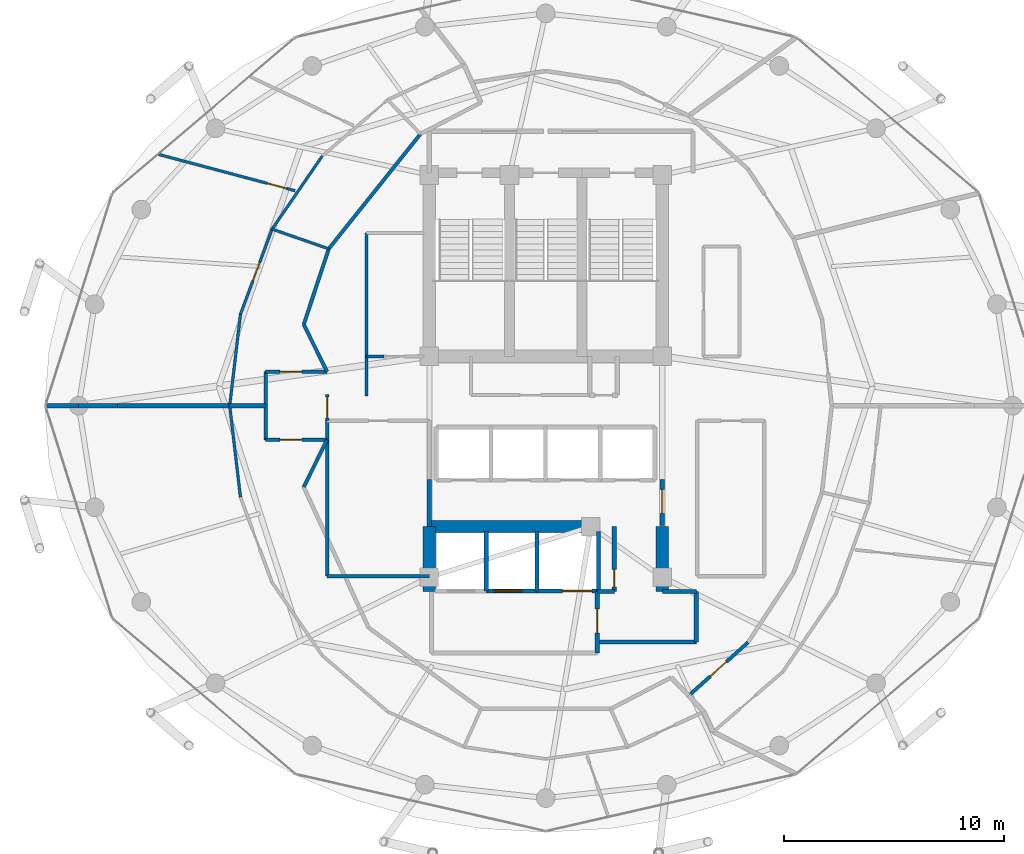
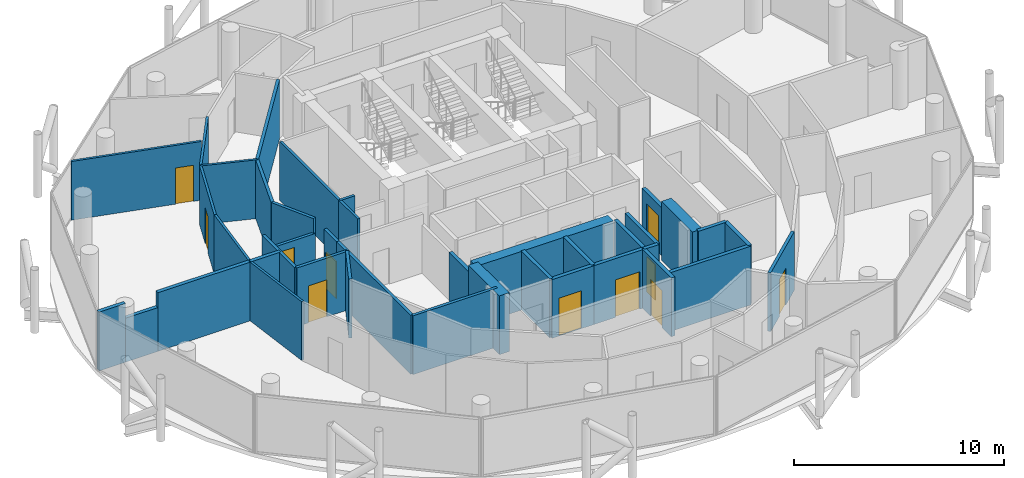
# One storey, part 23 of 27: 40 walls, 11 doors, 11 openings.
"""IFC4 building model written with IfcOpenShell, lengths in metres."""

from ifc_helpers import new_model, si_unit, direction, frame, frame_2d, origin, place, context, subcontext, project, spatial, rectangle, extrude, material, layer, layer_set, type_object, element, fill, save


model = new_model("IFC4")

# Units and contexts
model_context = context("Model", 3, precision=1e-05, world=origin(), true_north=direction((0.0, 1.0)))
body_context = subcontext(model_context, "Body", "Model", "MODEL_VIEW")
ifc_project = project(units=[si_unit("LENGTHUNIT", "METRE"), si_unit("AREAUNIT", "SQUARE_METRE"), si_unit("VOLUMEUNIT", "CUBIC_METRE"), si_unit("PLANEANGLEUNIT", "RADIAN"), si_unit("MASSUNIT", "GRAM", prefix="KILO")], contexts=[model_context])

# Site, building, storey
site_placement = place(None, origin())
site = spatial("IfcSite", under=ifc_project, at=site_placement, CompositionType="ELEMENT")
building_placement = place(site_placement, origin())
building = spatial("IfcBuilding", under=site, at=building_placement, Name="Nuhasar Tower", CompositionType="ELEMENT")
storey_placement = place(building_placement, frame((0.0, 0.0, 226.39990234375)))
storey = spatial("IfcBuildingStorey", under=building, at=storey_placement, Name="L55", CompositionType="ELEMENT", Elevation=226.39990234375)

# Walls
ifc_material_1 = material(Name="Concrete C55/67", Category="concrete")
ifc_layer_1 = layer(ifc_material_1, 0.550048828125)
ifc_layer_set_1 = layer_set([ifc_layer_1], Name="Concrete C55/67")
wall_type_1 = type_object("IfcWallType", Name="WL-CORE-550", PredefinedType="SHEAR", material=ifc_layer_set_1)
for number, where, z_axis, x_axis, name in (
    (1, (33.699951171875, 18.35009765625, 0.0), (0.0, 0.0, 1.0), (0.0, 1.0, 0.0), "L55 Core Shear Wall CW-SW CW-550"),
    (2, (44.300048828125, 18.35009765625, 0.0), (0.0, 0.0, 1.0), (0.0, 1.0, 0.0), "L55 Core Shear Wall CW-SE CW-550"),
):
    element("IfcWall", number, at=place(storey_placement, frame(where, z_axis=z_axis, x_axis=x_axis)), inside=storey, type_object=wall_type_1, Name=name, PredefinedType="SHEAR", context=body_context, shape_type="SweptSolid", body=[
        extrude(rectangle(XDim=2.949951171875, YDim=0.550048828125, at=frame_2d((1.47509765625, 0.0))), origin(), (0.0, 0.0, 1.0), 3.41015625),
    ])
wall_1_placement = place(storey_placement, frame((33.699951171875, 21.300048828125, 0.0), z_axis=(0.0, 0.0, 1.0), x_axis=(1.0, 0.0, 0.0)))
element("IfcWall", 3, at=wall_1_placement, inside=storey, type_object=wall_type_1, Name="L55 Core Shear Wall CW-S1 CW-550", PredefinedType="SHEAR", context=body_context, shape_type="SweptSolid", body=[
    extrude(rectangle(XDim=7.550048828125, YDim=0.550048828125, at=frame_2d((3.77490234375, 0.0))), origin(), (0.0, 0.0, 1.0), 3.41015625),
])
ifc_material_2 = material(Name="Gypsum Board", Category="gypsum")
ifc_layer_2 = layer(ifc_material_2, 0.159912109375)
ifc_layer_set_2 = layer_set([ifc_layer_2], Name="Gypsum Board")
wall_type_2 = type_object("IfcWallType", Name="WL-CORR-160", PredefinedType="PARTITIONING", material=ifc_layer_set_2)
wall_2_placement = place(storey_placement, frame((29.050048828125, 19.050048828125, 0.0), z_axis=(0.0, 0.0, 1.0), x_axis=(1.0, 0.0, 0.0)))
element("IfcWall", 4, at=wall_2_placement, inside=storey, type_object=wall_type_2, Name="L55 Interior Partition RECL-B1-S", PredefinedType="PARTITIONING", context=body_context, shape_type="SweptSolid", body=[
    extrude(rectangle(XDim=4.64990234375, YDim=0.159912109375, at=frame_2d((2.324951171875, 0.0))), origin(), (0.0, 0.0, 1.0), 3.41015625),
])
wall_3_placement = place(storey_placement, frame((29.050048828125, 19.050048828125, 0.0), z_axis=(0.0, 0.0, 1.0), x_axis=(0.0, 1.0, 0.0)))
element("IfcWall", 5, at=wall_3_placement, inside=storey, type_object=wall_type_2, Name="L55 Interior Partition RECL-B1-W", PredefinedType="PARTITIONING", context=body_context, shape_type="SweptSolid", body=[
    extrude(rectangle(XDim=7.070068359375, YDim=0.159912109375, at=frame_2d((3.53515625, 0.0))), origin(), (0.0, 0.0, 1.0), 3.41015625),
])

# Wall, opening, door
wall_4_placement = place(storey_placement, frame((29.050048828125, 26.1201171875, 0.0), z_axis=(0.0, 0.0, 1.0), x_axis=(0.0, 1.0, 0.0)))
wall_4 = element("IfcWall", 6, at=wall_4_placement, inside=storey, type_object=wall_type_2, Name="L55 Interior Partition WVEST-E", PredefinedType="PARTITIONING", context=body_context, shape_type="SweptSolid", body=[
    extrude(rectangle(XDim=1.199951171875, YDim=0.159912109375, at=frame_2d((0.60009765625, 0.0))), origin(), (0.0, 0.0, 1.0), 3.41015625),
])
opening_1_placement = place(wall_4_placement, frame((0.125, 0.0, 0.0)))
opening_1 = element("IfcOpeningElement", 7, at=opening_1_placement, cuts=wall_4, Name="Opening DO-01", PredefinedType="OPENING", context=body_context, shape_type="SweptSolid", body=[
    extrude(rectangle(XDim=0.949951171875, YDim=2.14990234375, at=frame_2d((0.47509765625, 1.074951171875))), frame((0.0, 0.08984375, 0.0), z_axis=(0.0, -1.0, 0.0), x_axis=(1.0, 0.0, 0.0)), (0.0, 0.0, 1.0), 0.179931640625),
])
ifc_material_3 = material(Name="Timber Oak", Category="wood")
door_type_1 = type_object("IfcDoorType", Name="DR-OFFICE-FD30-950", OperationType="NOTDEFINED", PredefinedType="DOOR", material=ifc_material_3)
door_1_placement = place(opening_1_placement, origin())
door_1 = element("IfcDoor", 8, at=door_1_placement, inside=storey, type_object=door_type_1, Name="L55 West Arrival Foyer Core Door", OperationType="SINGLE_SWING_RIGHT", OverallHeight=2.14990234375, OverallWidth=0.949951171875, PredefinedType="DOOR", context=body_context, shape_type="SweptSolid", body=[
    extrude(rectangle(XDim=0.949951171875, YDim=2.14990234375, at=frame_2d((0.47509765625, 1.074951171875))), frame((0.0, 0.02490234375, 0.0), z_axis=(0.0, -1.0, 0.0), x_axis=(1.0, 0.0, 0.0)), (0.0, 0.0, 1.0), 0.050048828125),
])
fill(opening_1, door_1)

wall_5_placement = place(storey_placement, frame((48.198974609375, 16.031005859375, 0.0), z_axis=(0.0, 0.0, 1.0), x_axis=(-0.743813424218, -0.66838730535, 0.0)))
wall_5 = element("IfcWall", 9, at=wall_5_placement, inside=storey, type_object=wall_type_2, Name="L55 Interior Partition CORR-40", PredefinedType="PARTITIONING", context=body_context, shape_type="SweptSolid", body=[
    extrude(rectangle(XDim=3.6220703125, YDim=0.159912109375, at=frame_2d((1.81103515625, 0.0))), origin(), (0.0, 0.0, 1.0), 3.41015625),
])
opening_2_placement = place(wall_5_placement, frame((1.31103515625, 0.0, 0.0)))
opening_2 = element("IfcOpeningElement", 10, at=opening_2_placement, cuts=wall_5, Name="Opening DU-02", PredefinedType="OPENING", context=body_context, shape_type="SweptSolid", body=[
    extrude(rectangle(XDim=1.0, YDim=2.14990234375, at=frame_2d((0.5, 1.074951171875))), frame((0.0, 0.08984375, 0.0), z_axis=(0.0, -1.0, 0.0), x_axis=(1.0, 0.0, 0.0)), (0.0, 0.0, 1.0), 0.179931640625),
])
door_type_2 = type_object("IfcDoorType", Name="DR-FLAT-FD60-1000", OperationType="NOTDEFINED", PredefinedType="DOOR", material=ifc_material_3)
door_2_placement = place(opening_2_placement, origin())
door_2 = element("IfcDoor", 11, at=door_2_placement, inside=storey, type_object=door_type_2, Name="L55 Three-Bed Apartment 01 Entrance Door", OperationType="SINGLE_SWING_RIGHT", OverallHeight=2.14990234375, OverallWidth=1.0, PredefinedType="DOOR", context=body_context, shape_type="SweptSolid", body=[
    extrude(rectangle(XDim=1.0, YDim=2.14990234375, at=frame_2d((0.5, 1.074951171875))), frame((0.0, 0.02490234375, 0.0), z_axis=(0.0, -1.0, 0.0), x_axis=(1.0, 0.0, 0.0)), (0.0, 0.0, 1.0), 0.050048828125),
])
fill(opening_2, door_2)

# Walls
wall_6_placement = place(storey_placement, frame((33.300048828125, 39.1669921875, 0.0), z_axis=(0.0, 0.0, 1.0), x_axis=(-0.623915746766, -0.781491612839, 0.0)))
element("IfcWall", 12, at=wall_6_placement, inside=storey, type_object=wall_type_2, Name="L55 Interior Partition UWEST-CORE-N2-16", PredefinedType="PARTITIONING", context=body_context, shape_type="SweptSolid", body=[
    extrude(rectangle(XDim=6.6884765625, YDim=0.159912109375, at=frame_2d((3.34423828125, 0.0))), origin(), (0.0, 0.0, 1.0), 3.41015625),
])
wall_7_placement = place(storey_placement, frame((29.126953125, 33.93994140625, 0.0), z_axis=(0.0, 0.0, 1.0), x_axis=(-0.313985571683, -0.949427754374, 0.0)))
element("IfcWall", 13, at=wall_7_placement, inside=storey, type_object=wall_type_2, Name="L55 Interior Partition UWEST-CORE-N2-20", PredefinedType="PARTITIONING", context=body_context, shape_type="SweptSolid", body=[
    extrude(rectangle(XDim=3.627197265625, YDim=0.159912109375, at=frame_2d((1.8134765625, 0.0))), origin(), (0.0, 0.0, 1.0), 3.41015625),
])

# Wall, opening, door
wall_8_placement = place(storey_placement, frame((26.25, 28.35009765625, 0.0), z_axis=(0.0, 0.0, 1.0), x_axis=(1.0, 0.0, 0.0)))
wall_8 = element("IfcWall", 14, at=wall_8_placement, inside=storey, type_object=wall_type_2, Name="L55 Interior Partition WVEST-N", PredefinedType="PARTITIONING", context=body_context, shape_type="SweptSolid", body=[
    extrude(rectangle(XDim=2.800048828125, YDim=0.159912109375, at=frame_2d((1.39990234375, 0.0))), origin(), (0.0, 0.0, 1.0), 2.550048828125),
])
opening_3_placement = place(wall_8_placement, frame((0.64990234375, 0.0, 0.0)))
opening_3 = element("IfcOpeningElement", 15, at=opening_3_placement, cuts=wall_8, Name="Opening DU-02", PredefinedType="OPENING", context=body_context, shape_type="SweptSolid", body=[
    extrude(rectangle(XDim=1.0, YDim=2.14990234375, at=frame_2d((0.5, 1.074951171875))), frame((0.0, 0.08984375, 0.0), z_axis=(0.0, -1.0, 0.0), x_axis=(1.0, 0.0, 0.0)), (0.0, 0.0, 1.0), 0.179931640625),
])
door_3_placement = place(opening_3_placement, origin())
door_3 = element("IfcDoor", 16, at=door_3_placement, inside=storey, type_object=door_type_2, Name="L55 North-West Sky Home Entrance", OperationType="SINGLE_SWING_LEFT", OverallHeight=2.14990234375, OverallWidth=1.0, PredefinedType="DOOR", context=body_context, shape_type="SweptSolid", body=[
    extrude(rectangle(XDim=1.0, YDim=2.14990234375, at=frame_2d((0.5, 1.074951171875))), frame((0.0, 0.02490234375, 0.0), z_axis=(0.0, -1.0, 0.0), x_axis=(1.0, 0.0, 0.0)), (0.0, 0.0, 1.0), 0.050048828125),
])
fill(opening_3, door_3)

wall_9_placement = place(storey_placement, frame((26.25, 25.25, 0.0), z_axis=(0.0, 0.0, 1.0), x_axis=(1.0, 0.0, 0.0)))
wall_9 = element("IfcWall", 17, at=wall_9_placement, inside=storey, type_object=wall_type_2, Name="L55 Interior Partition WVEST-S", PredefinedType="PARTITIONING", context=body_context, shape_type="SweptSolid", body=[
    extrude(rectangle(XDim=2.800048828125, YDim=0.159912109375, at=frame_2d((1.39990234375, 0.0))), origin(), (0.0, 0.0, 1.0), 3.41015625),
])
opening_4_placement = place(wall_9_placement, frame((0.64990234375, 0.0, 0.0)))
opening_4 = element("IfcOpeningElement", 18, at=opening_4_placement, cuts=wall_9, Name="Opening DU-02", PredefinedType="OPENING", context=body_context, shape_type="SweptSolid", body=[
    extrude(rectangle(XDim=1.0, YDim=2.14990234375, at=frame_2d((0.5, 1.074951171875))), frame((0.0, 0.08984375, 0.0), z_axis=(0.0, -1.0, 0.0), x_axis=(1.0, 0.0, 0.0)), (0.0, 0.0, 1.0), 0.179931640625),
])
door_4_placement = place(opening_4_placement, origin())
door_4 = element("IfcDoor", 19, at=door_4_placement, inside=storey, type_object=door_type_2, Name="L55 South-West Sky Home Entrance", OperationType="SINGLE_SWING_LEFT", OverallHeight=2.14990234375, OverallWidth=1.0, PredefinedType="DOOR", context=body_context, shape_type="SweptSolid", body=[
    extrude(rectangle(XDim=1.0, YDim=2.14990234375, at=frame_2d((0.5, 1.074951171875))), frame((0.0, 0.02490234375, 0.0), z_axis=(0.0, -1.0, 0.0), x_axis=(1.0, 0.0, 0.0)), (0.0, 0.0, 1.0), 0.050048828125),
])
fill(opening_4, door_4)

# Walls
wall_10_placement = place(storey_placement, frame((26.25, 25.25, 0.0), z_axis=(0.0, 0.0, 1.0), x_axis=(0.0, 1.0, 0.0)))
element("IfcWall", 20, at=wall_10_placement, inside=storey, type_object=wall_type_2, Name="L55 Interior Partition WVEST-W", PredefinedType="PARTITIONING", context=body_context, shape_type="SweptSolid", body=[
    extrude(rectangle(XDim=3.10009765625, YDim=0.159912109375, at=frame_2d((1.550048828125, 0.0))), origin(), (0.0, 0.0, 1.0), 3.41015625),
])
for number, where, z_axis, x_axis, name in (
    (21, (27.988037109375, 30.49609375, 0.0), (0.0, 0.0, 1.0), (0.443539160525, -0.896254993337, 0.0), "L55 Interior Partition WVEST-CN"),
    (22, (27.988037109375, 23.10400390625, 0.0), (0.0, 0.0, 1.0), (0.443539160525, 0.896254993337, 0.0), "L55 Interior Partition WVEST-CS"),
):
    element("IfcWall", number, at=place(storey_placement, frame(where, z_axis=z_axis, x_axis=x_axis)), inside=storey, type_object=wall_type_2, Name=name, PredefinedType="PARTITIONING", context=body_context, shape_type="SweptSolid", body=[
        extrude(rectangle(XDim=2.394287109375, YDim=0.159912109375, at=frame_2d((1.197265625, 0.0))), origin(), (0.0, 0.0, 1.0), 3.41015625),
    ])
ifc_material_4 = material(Name="Concrete C45/55", Category="concrete")
ifc_layer_3 = layer(ifc_material_4, 0.199951171875)
ifc_layer_set_3 = layer_set([ifc_layer_3], Name="Concrete C45/55")
wall_type_3 = type_object("IfcWallType", Name="WL-LOBBY-200", PredefinedType="SOLIDWALL", material=ifc_layer_set_3)
wall_11_placement = place(storey_placement, frame((33.699951171875, 21.300048828125, 0.0), z_axis=(0.0, 0.0, 1.0), x_axis=(0.0, 1.0, 0.0)))
element("IfcWall", 23, at=wall_11_placement, inside=storey, type_object=wall_type_3, Name="L55 Interior Partition LLBH-W", PredefinedType="SOLIDWALL", context=body_context, shape_type="SweptSolid", body=[
    extrude(rectangle(XDim=2.14990234375, YDim=0.199951171875, at=frame_2d((1.074951171875, 0.0))), origin(), (0.0, 0.0, 1.0), 2.795166015625),
])

# Wall, opening, door
wall_12_placement = place(storey_placement, frame((44.300048828125, 21.35009765625, 0.0), z_axis=(0.0, 0.0, 1.0), x_axis=(0.0, 1.0, 0.0)))
wall_12 = element("IfcWall", 24, at=wall_12_placement, inside=storey, type_object=wall_type_3, Name="L55 Interior Partition LLBH-E", PredefinedType="SOLIDWALL", context=body_context, shape_type="SweptSolid", body=[
    extrude(rectangle(XDim=2.099853515625, YDim=0.199951171875, at=frame_2d((1.0498046875, 0.0))), origin(), (0.0, 0.0, 1.0), 2.795166015625),
])
opening_5_placement = place(wall_12_placement, frame((0.550048828125, 0.0, 0.0)))
opening_5 = element("IfcOpeningElement", 25, at=opening_5_placement, cuts=wall_12, Name="Opening DS-02", PredefinedType="OPENING", context=body_context, shape_type="SweptSolid", body=[
    extrude(rectangle(XDim=1.10009765625, YDim=2.14990234375, at=frame_2d((0.550048828125, 1.074951171875))), frame((0.0, 0.10986328125, 0.0), z_axis=(0.0, -1.0, 0.0), x_axis=(1.0, 0.0, 0.0)), (0.0, 0.0, 1.0), 0.219970703125),
])
ifc_material_5 = material(Name="Steel S355", Category="steel")
door_type_3 = type_object("IfcDoorType", Name="DR-FFL-FD120-1100", OperationType="NOTDEFINED", PredefinedType="DOOR", material=ifc_material_5)
door_5_placement = place(opening_5_placement, origin())
door_5 = element("IfcDoor", 26, at=door_5_placement, inside=storey, type_object=door_type_3, Name="L55 High-Rise Lobby East Door", OperationType="SINGLE_SWING_RIGHT", OverallHeight=2.14990234375, OverallWidth=1.10009765625, PredefinedType="DOOR", context=body_context, shape_type="SweptSolid", body=[
    extrude(rectangle(XDim=1.10009765625, YDim=2.14990234375, at=frame_2d((0.550048828125, 1.074951171875))), frame((0.0, 0.02490234375, 0.0), z_axis=(0.0, -1.0, 0.0), x_axis=(1.0, 0.0, 0.0)), (0.0, 0.0, 1.0), 0.050048828125),
])
fill(opening_5, door_5)

wall_13_placement = place(storey_placement, frame((41.35009765625, 15.550048828125, 0.0), z_axis=(0.0, 0.0, 1.0), x_axis=(0.0, 1.0, 0.0)))
wall_13 = element("IfcWall", 27, at=wall_13_placement, inside=storey, type_object=wall_type_3, Name="L55 Interior Partition FFL-E", PredefinedType="SOLIDWALL", context=body_context, shape_type="SweptSolid", body=[
    extrude(rectangle(XDim=2.800048828125, YDim=0.199951171875, at=frame_2d((1.39990234375, 0.0))), origin(), (0.0, 0.0, 1.0), 3.41015625),
])
opening_6_placement = place(wall_13_placement, frame((0.89990234375, 0.0, 0.0)))
opening_6 = element("IfcOpeningElement", 28, at=opening_6_placement, cuts=wall_13, Name="Opening DS-02", PredefinedType="OPENING", context=body_context, shape_type="SweptSolid", body=[
    extrude(rectangle(XDim=1.10009765625, YDim=2.14990234375, at=frame_2d((0.550048828125, 1.074951171875))), frame((0.0, 0.10986328125, 0.0), z_axis=(0.0, -1.0, 0.0), x_axis=(1.0, 0.0, 0.0)), (0.0, 0.0, 1.0), 0.219970703125),
])
door_6_placement = place(opening_6_placement, origin())
door_6 = element("IfcDoor", 29, at=door_6_placement, inside=storey, type_object=door_type_3, Name="L55 Firefighting Lobby Door", OperationType="SINGLE_SWING_RIGHT", OverallHeight=2.14990234375, OverallWidth=1.10009765625, PredefinedType="DOOR", context=body_context, shape_type="SweptSolid", body=[
    extrude(rectangle(XDim=1.10009765625, YDim=2.14990234375, at=frame_2d((0.550048828125, 1.074951171875))), frame((0.0, 0.02490234375, 0.0), z_axis=(0.0, -1.0, 0.0), x_axis=(1.0, 0.0, 0.0)), (0.0, 0.0, 1.0), 0.050048828125),
])
fill(opening_6, door_6)

# Walls
wall_14_placement = place(storey_placement, frame((41.35009765625, 16.050048828125, 0.0), z_axis=(0.0, 0.0, 1.0), x_axis=(1.0, 0.0, 0.0)))
element("IfcWall", 30, at=wall_14_placement, inside=storey, type_object=wall_type_3, Name="L55 Interior Partition SVLV-S", PredefinedType="SOLIDWALL", context=body_context, shape_type="SweptSolid", body=[
    extrude(rectangle(XDim=4.5, YDim=0.199951171875, at=frame_2d((2.25, 0.0))), origin(), (0.0, 0.0, 1.0), 3.41015625),
])
wall_15_placement = place(storey_placement, frame((45.85009765625, 16.050048828125, 0.0), z_axis=(0.0, 0.0, 1.0), x_axis=(0.0, 1.0, 0.0)))
element("IfcWall", 31, at=wall_15_placement, inside=storey, type_object=wall_type_3, Name="L55 Interior Partition SVLV-E", PredefinedType="SOLIDWALL", context=body_context, shape_type="SweptSolid", body=[
    extrude(rectangle(XDim=2.300048828125, YDim=0.199951171875, at=frame_2d((1.14990234375, 0.0))), origin(), (0.0, 0.0, 1.0), 3.41015625),
])
wall_16_placement = place(storey_placement, frame((44.300048828125, 18.35009765625, 0.0), z_axis=(0.0, 0.0, 1.0), x_axis=(1.0, 0.0, 0.0)))
element("IfcWall", 32, at=wall_16_placement, inside=storey, type_object=wall_type_3, Name="L55 Interior Partition SVLV-N", PredefinedType="SOLIDWALL", context=body_context, shape_type="SweptSolid", body=[
    extrude(rectangle(XDim=1.550048828125, YDim=0.199951171875, at=frame_2d((0.77490234375, 0.0))), origin(), (0.0, 0.0, 1.0), 3.41015625),
])
ifc_layer_4 = layer(ifc_material_2, 0.125)
ifc_layer_set_4 = layer_set([ifc_layer_4], Name="Gypsum Board")
wall_type_4 = type_object("IfcWallType", Name="WL-PART-125", PredefinedType="PARTITIONING", material=ifc_layer_set_4)
wall_17_placement = place(storey_placement, frame((29.126953125, 33.93994140625, 0.0), z_axis=(0.0, 0.0, 1.0), x_axis=(-0.944759436998, 0.327764559102, 0.0)))
element("IfcWall", 33, at=wall_17_placement, inside=storey, type_object=wall_type_4, Name="L55 Interior Partition USI-1-KD", PredefinedType="PARTITIONING", context=body_context, shape_type="SweptSolid", body=[
    extrude(rectangle(XDim=2.730712890625, YDim=0.125, at=frame_2d((1.365234375, 0.0))), origin(), (0.0, 0.0, 1.0), 3.41015625),
])
wall_18_placement = place(storey_placement, frame((28.83203125, 38.1630859375, 0.0), z_axis=(0.0, 0.0, 1.0), x_axis=(-0.565994846929, -0.824408778004, 0.0)))
element("IfcWall", 34, at=wall_18_placement, inside=storey, type_object=wall_type_4, Name="L55 Interior Partition USM-1-K-18", PredefinedType="PARTITIONING", context=body_context, shape_type="SweptSolid", body=[
    extrude(rectangle(XDim=4.036865234375, YDim=0.125, at=frame_2d((2.0185546875, 0.0))), origin(), (0.0, 0.0, 1.0), 3.41015625),
])

# Wall, opening, door
wall_19_placement = place(storey_placement, frame((25.110107421875, 30.958984375, 0.0), z_axis=(0.0, 0.0, 1.0), x_axis=(0.347625950087, 0.937633296564, 0.0)))
wall_19 = element("IfcWall", 35, at=wall_19_placement, inside=storey, type_object=wall_type_4, Name="L55 Interior Partition USM-1-D-20", PredefinedType="PARTITIONING", context=body_context, shape_type="SweptSolid", body=[
    extrude(rectangle(XDim=4.1337890625, YDim=0.125, at=frame_2d((2.06689453125, 0.0))), origin(), (0.0, 0.0, 1.0), 3.41015625),
])
opening_7_placement = place(wall_19_placement, frame((1.616943359375, 0.0, 0.0)))
opening_7 = element("IfcOpeningElement", 36, at=opening_7_placement, cuts=wall_19, Name="Opening DR-01", PredefinedType="OPENING", context=body_context, shape_type="SweptSolid", body=[
    extrude(rectangle(XDim=0.89990234375, YDim=2.10009765625, at=frame_2d((0.449951171875, 1.050048828125))), frame((0.0, 0.072509765625, 0.0), z_axis=(0.0, -1.0, 0.0), x_axis=(1.0, 0.0, 0.0)), (0.0, 0.0, 1.0), 0.14501953125),
])
door_type_4 = type_object("IfcDoorType", Name="DR-ROOM-900", OperationType="NOTDEFINED", PredefinedType="DOOR", material=ifc_material_3)
door_7_placement = place(opening_7_placement, origin())
door_7 = element("IfcDoor", 37, at=door_7_placement, inside=storey, type_object=door_type_4, Name="L55 North-West Sky Home Living Door", OperationType="SINGLE_SWING_LEFT", OverallHeight=2.10009765625, OverallWidth=0.89990234375, PredefinedType="DOOR", context=body_context, shape_type="SweptSolid", body=[
    extrude(rectangle(XDim=0.89990234375, YDim=2.10009765625, at=frame_2d((0.449951171875, 1.050048828125))), frame((0.0, 0.02490234375, 0.0), z_axis=(0.0, -1.0, 0.0), x_axis=(1.0, 0.0, 0.0)), (0.0, 0.0, 1.0), 0.050048828125),
])
fill(opening_7, door_7)

# Wall
wall_20_placement = place(storey_placement, frame((25.110107421875, 30.958984375, 0.0), z_axis=(0.0, 0.0, 1.0), x_axis=(-0.117006991469, -0.993131091018, 0.0)))
element("IfcWall", 38, at=wall_20_placement, inside=storey, type_object=wall_type_4, Name="L55 Interior Partition USM-1-D-22", PredefinedType="PARTITIONING", context=body_context, shape_type="SweptSolid", body=[
    extrude(rectangle(XDim=4.187744140625, YDim=0.125, at=frame_2d((2.09375, 0.0))), origin(), (0.0, 0.0, 1.0), 3.41015625),
])

# Wall, opening, door
wall_21_placement = place(storey_placement, frame((27.592041015625, 36.5830078125, 0.0), z_axis=(0.0, 0.0, 1.0), x_axis=(-0.966372641244, 0.257145714053, 0.0)))
wall_21 = element("IfcWall", 39, at=wall_21_placement, inside=storey, type_object=wall_type_4, Name="L55 Interior Partition USO-1-B2", PredefinedType="PARTITIONING", context=body_context, shape_type="SweptSolid", body=[
    extrude(rectangle(XDim=6.40869140625, YDim=0.125, at=frame_2d((3.204345703125, 0.0))), origin(), (0.0, 0.0, 1.0), 3.41015625),
])
opening_8_placement = place(wall_21_placement, frame((0.39990234375, 0.0, 0.0)))
opening_8 = element("IfcOpeningElement", 40, at=opening_8_placement, cuts=wall_21, Name="Opening DR-01", PredefinedType="OPENING", context=body_context, shape_type="SweptSolid", body=[
    extrude(rectangle(XDim=0.89990234375, YDim=2.10009765625, at=frame_2d((0.449951171875, 1.050048828125))), frame((0.0, 0.072509765625, 0.0), z_axis=(0.0, -1.0, 0.0), x_axis=(1.0, 0.0, 0.0)), (0.0, 0.0, 1.0), 0.14501953125),
])
door_8_placement = place(opening_8_placement, origin())
door_8 = element("IfcDoor", 41, at=door_8_placement, inside=storey, type_object=door_type_4, Name="L55 North-West Sky Home Study Door", OperationType="SINGLE_SWING_LEFT", OverallHeight=2.10009765625, OverallWidth=0.89990234375, PredefinedType="DOOR", context=body_context, shape_type="SweptSolid", body=[
    extrude(rectangle(XDim=0.89990234375, YDim=2.10009765625, at=frame_2d((0.449951171875, 1.050048828125))), frame((0.0, 0.02490234375, 0.0), z_axis=(0.0, -1.0, 0.0), x_axis=(1.0, 0.0, 0.0)), (0.0, 0.0, 1.0), 0.050048828125),
])
fill(opening_8, door_8)

# Walls
wall_22_placement = place(storey_placement, frame((24.6201171875, 26.800048828125, 0.0), z_axis=(0.0, 0.0, 1.0), x_axis=(0.117006991469, -0.993131091018, 0.0)))
element("IfcWall", 42, at=wall_22_placement, inside=storey, type_object=wall_type_4, Name="L55 Interior Partition USM-2-D-24", PredefinedType="PARTITIONING", context=body_context, shape_type="SweptSolid", body=[
    extrude(rectangle(XDim=4.187744140625, YDim=0.125, at=frame_2d((2.09375, 0.0))), origin(), (0.0, 0.0, 1.0), 3.41015625),
])
ifc_layer_5 = layer(ifc_material_4, 0.199951171875)
ifc_layer_set_5 = layer_set([ifc_layer_5], Name="Concrete C45/55")
wall_type_5 = type_object("IfcWallType", Name="WL-SHAFT-200", PredefinedType="SOLIDWALL", material=ifc_layer_set_5)
wall_23_placement = place(storey_placement, frame((36.300048828125, 18.3701171875, 0.0), z_axis=(0.0, 0.0, 1.0), x_axis=(0.0, 1.0, 0.0)))
element("IfcWall", 43, at=wall_23_placement, inside=storey, type_object=wall_type_5, Name="L55 Interior Partition SHF-FFL-01-E", PredefinedType="SOLIDWALL", context=body_context, shape_type="SweptSolid", body=[
    extrude(rectangle(XDim=2.7099609375, YDim=0.199951171875, at=frame_2d((1.35498046875, 0.0))), origin(), (0.0, 0.0, 1.0), 3.41015625),
])

# Wall, opening, door
wall_24_placement = place(storey_placement, frame((36.27001953125, 18.3701171875, 0.0), z_axis=(0.0, 0.0, 1.0), x_axis=(1.0, 0.0, 0.0)))
wall_24 = element("IfcWall", 44, at=wall_24_placement, inside=storey, type_object=wall_type_5, Name="L55 Interior Partition SHF-FFL-02-S", PredefinedType="SOLIDWALL", context=body_context, shape_type="SweptSolid", body=[
    extrude(rectangle(XDim=2.35986328125, YDim=0.199951171875, at=frame_2d((1.179931640625, 0.0))), origin(), (0.0, 0.0, 1.0), 3.41015625),
])
opening_9_placement = place(wall_24_placement, frame((0.3798828125, 0.0, 0.0)))
opening_9 = element("IfcOpeningElement", 45, at=opening_9_placement, cuts=wall_24, Name="Opening LD-F02", PredefinedType="OPENING", context=body_context, shape_type="SweptSolid", body=[
    extrude(rectangle(XDim=1.25, YDim=2.199951171875, at=frame_2d((0.625, 1.10009765625))), frame((0.0, 0.10986328125, 0.0), z_axis=(0.0, -1.0, 0.0), x_axis=(1.0, 0.0, 0.0)), (0.0, 0.0, 1.0), 0.219970703125),
])
ifc_material_6 = material(Name="Stainless Steel 316L", Category="steel")
door_type_5 = type_object("IfcDoorType", Name="LD-FFL-1250", OperationType="DOUBLE_DOOR_SLIDING", PredefinedType="DOOR", material=ifc_material_6)
door_9_placement = place(opening_9_placement, origin())
door_9 = element("IfcDoor", 46, at=door_9_placement, inside=storey, type_object=door_type_5, Name="L55 Lift Landing Door FFL-02", OperationType="DOUBLE_DOOR_SLIDING", OverallHeight=2.199951171875, OverallWidth=1.25, PredefinedType="DOOR", context=body_context, shape_type="SweptSolid", body=[
    extrude(rectangle(XDim=1.25, YDim=2.199951171875, at=frame_2d((0.625, 1.10009765625))), frame((0.0, 0.02490234375, 0.0), z_axis=(0.0, -1.0, 0.0), x_axis=(1.0, 0.0, 0.0)), (0.0, 0.0, 1.0), 0.050048828125),
])
fill(opening_9, door_9)

# Wall
wall_25_placement = place(storey_placement, frame((38.60009765625, 18.3701171875, 0.0), z_axis=(0.0, 0.0, 1.0), x_axis=(0.0, 1.0, 0.0)))
element("IfcWall", 47, at=wall_25_placement, inside=storey, type_object=wall_type_5, Name="L55 Interior Partition SHF-FFL-02-E", PredefinedType="SOLIDWALL", context=body_context, shape_type="SweptSolid", body=[
    extrude(rectangle(XDim=2.7099609375, YDim=0.199951171875, at=frame_2d((1.35498046875, 0.0))), origin(), (0.0, 0.0, 1.0), 3.41015625),
])

# Wall, opening, door
wall_26_placement = place(storey_placement, frame((38.570068359375, 18.3701171875, 0.0), z_axis=(0.0, 0.0, 1.0), x_axis=(1.0, 0.0, 0.0)))
wall_26 = element("IfcWall", 48, at=wall_26_placement, inside=storey, type_object=wall_type_5, Name="L55 Interior Partition SHF-SVL-01-S", PredefinedType="SOLIDWALL", context=body_context, shape_type="SweptSolid", body=[
    extrude(rectangle(XDim=2.829833984375, YDim=0.199951171875, at=frame_2d((1.4150390625, 0.0))), origin(), (0.0, 0.0, 1.0), 3.41015625),
])
opening_10_placement = place(wall_26_placement, frame((1.179931640625, 0.0, 0.0)))
opening_10 = element("IfcOpeningElement", 49, at=opening_10_placement, cuts=wall_26, Name="Opening LD-S01", PredefinedType="OPENING", context=body_context, shape_type="SweptSolid", body=[
    extrude(rectangle(XDim=1.35009765625, YDim=2.179931640625, at=frame_2d((0.675048828125, 1.08984375))), frame((0.0, 0.10986328125, 0.0), z_axis=(0.0, -1.0, 0.0), x_axis=(1.0, 0.0, 0.0)), (0.0, 0.0, 1.0), 0.219970703125),
])
door_type_6 = type_object("IfcDoorType", Name="LD-SVL-1350", OperationType="DOUBLE_DOOR_SLIDING", PredefinedType="DOOR", material=ifc_material_6)
door_10_placement = place(opening_10_placement, origin())
door_10 = element("IfcDoor", 50, at=door_10_placement, inside=storey, type_object=door_type_6, Name="L55 Lift Landing Door SVL-01", OperationType="DOUBLE_DOOR_SLIDING", OverallHeight=2.179931640625, OverallWidth=1.35009765625, PredefinedType="DOOR", context=body_context, shape_type="SweptSolid", body=[
    extrude(rectangle(XDim=1.35009765625, YDim=2.179931640625, at=frame_2d((0.675048828125, 1.08984375))), frame((0.0, 0.02490234375, 0.0), z_axis=(0.0, -1.0, 0.0), x_axis=(1.0, 0.0, 0.0)), (0.0, 0.0, 1.0), 0.050048828125),
])
fill(opening_10, door_10)

# Wall
wall_27_placement = place(storey_placement, frame((41.39990234375, 18.3701171875, 0.0), z_axis=(0.0, 0.0, 1.0), x_axis=(0.0, 1.0, 0.0)))
element("IfcWall", 51, at=wall_27_placement, inside=storey, type_object=wall_type_5, Name="L55 Interior Partition SHF-SVL-01-E", PredefinedType="SOLIDWALL", context=body_context, shape_type="SweptSolid", body=[
    extrude(rectangle(XDim=2.7099609375, YDim=0.199951171875, at=frame_2d((1.35498046875, 0.0))), origin(), (0.0, 0.0, 1.0), 3.41015625),
])

# Wall, opening, door
wall_28_placement = place(storey_placement, frame((42.1201171875, 18.35009765625, 0.0), z_axis=(0.0, 0.0, 1.0), x_axis=(0.0, 1.0, 0.0)))
wall_28 = element("IfcWall", 52, at=wall_28_placement, inside=storey, type_object=wall_type_5, Name="L55 Interior Partition RSR-E", PredefinedType="SOLIDWALL", context=body_context, shape_type="SweptSolid", body=[
    extrude(rectangle(XDim=2.949951171875, YDim=0.199951171875, at=frame_2d((1.47509765625, 0.0))), origin(), (0.0, 0.0, 1.0), 3.41015625),
])
opening_11_placement = place(wall_28_placement, frame((0.199951171875, 0.0, 0.0)))
opening_11 = element("IfcOpeningElement", 53, at=opening_11_placement, cuts=wall_28, Name="Opening DM-01", PredefinedType="OPENING", context=body_context, shape_type="SweptSolid", body=[
    extrude(rectangle(XDim=0.800048828125, YDim=2.050048828125, at=frame_2d((0.39990234375, 1.02490234375))), frame((0.0, 0.10986328125, 0.0), z_axis=(0.0, -1.0, 0.0), x_axis=(1.0, 0.0, 0.0)), (0.0, 0.0, 1.0), 0.219970703125),
])
door_type_7 = type_object("IfcDoorType", Name="DR-RISER-FD60-800", OperationType="NOTDEFINED", PredefinedType="DOOR", material=ifc_material_5)
door_11_placement = place(opening_11_placement, origin())
door_11 = element("IfcDoor", 54, at=door_11_placement, inside=storey, type_object=door_type_7, Name="L55 MEP Riser Access Door", OperationType="SINGLE_SWING_LEFT", OverallHeight=2.050048828125, OverallWidth=0.800048828125, PredefinedType="DOOR", context=body_context, shape_type="SweptSolid", body=[
    extrude(rectangle(XDim=0.800048828125, YDim=2.050048828125, at=frame_2d((0.39990234375, 1.02490234375))), frame((0.0, 0.02490234375, 0.0), z_axis=(0.0, -1.0, 0.0), x_axis=(1.0, 0.0, 0.0)), (0.0, 0.0, 1.0), 0.050048828125),
])
fill(opening_11, door_11)

# Walls
wall_29_placement = place(storey_placement, frame((41.35009765625, 18.35009765625, 0.0), z_axis=(0.0, 0.0, 1.0), x_axis=(1.0, 0.0, 0.0)))
element("IfcWall", 55, at=wall_29_placement, inside=storey, type_object=wall_type_5, Name="L55 Interior Partition RSR-S", PredefinedType="SOLIDWALL", context=body_context, shape_type="SweptSolid", body=[
    extrude(rectangle(XDim=0.77001953125, YDim=0.199951171875, at=frame_2d((0.385009765625, 0.0))), origin(), (0.0, 0.0, 1.0), 3.41015625),
])
ifc_material_7 = material(Name="Concrete C40/50 precast", Category="concrete")
ifc_layer_6 = layer(ifc_material_7, 0.199951171875)
ifc_layer_set_6 = layer_set([ifc_layer_6], Name="Concrete C40/50 precast")
wall_type_6 = type_object("IfcWallType", Name="WL-UNIT-200", PredefinedType="PARTITIONING", material=ifc_layer_set_6)
wall_30_placement = place(storey_placement, frame((26.25, 26.800048828125, 0.0), z_axis=(0.0, 0.0, 1.0), x_axis=(-1.0, 0.0, 0.0)))
element("IfcWall", 56, at=wall_30_placement, inside=storey, type_object=wall_type_6, Name="L55 Interior Partition UWEST-PARTY-IN", PredefinedType="PARTITIONING", context=body_context, shape_type="SweptSolid", body=[
    extrude(rectangle(XDim=1.6298828125, YDim=0.199951171875, at=frame_2d((0.81494140625, 0.0))), origin(), (0.0, 0.0, 1.0), 3.41015625),
])
wall_31_placement = place(storey_placement, frame((24.6201171875, 26.800048828125, 0.0), z_axis=(0.0, 0.0, 1.0), x_axis=(-1.0, 0.0, 0.0)))
element("IfcWall", 57, at=wall_31_placement, inside=storey, type_object=wall_type_6, Name="L55 Interior Partition UWEST-PARTY-OUT", PredefinedType="PARTITIONING", context=body_context, shape_type="SweptSolid", body=[
    extrude(rectangle(XDim=5.1162109375, YDim=0.199951171875, at=frame_2d((2.55810546875, 0.0))), origin(), (0.0, 0.0, 1.0), 3.41015625),
])
wall_32_placement = place(storey_placement, frame((19.50390625, 26.800048828125, 0.0), z_axis=(0.0, 0.0, 1.0), x_axis=(-1.0, 0.0, 0.0)))
element("IfcWall", 58, at=wall_32_placement, inside=storey, type_object=wall_type_6, Name="L55 Interior Partition UWEST-PARTY-OUT", PredefinedType="PARTITIONING", context=body_context, shape_type="SweptSolid", body=[
    extrude(rectangle(XDim=1.767822265625, YDim=0.199951171875, at=frame_2d((0.8837890625, 0.0))), origin(), (0.0, 0.0, 1.0), 2.550048828125),
])
wall_33_placement = place(storey_placement, frame((17.736083984375, 26.800048828125, 0.0), z_axis=(0.0, 0.0, 1.0), x_axis=(-1.0, 0.0, 0.0)))
element("IfcWall", 59, at=wall_33_placement, inside=storey, type_object=wall_type_6, Name="L55 Interior Partition UWEST-PARTY-OUT", PredefinedType="PARTITIONING", context=body_context, shape_type="SweptSolid", body=[
    extrude(rectangle(XDim=1.461181640625, YDim=0.199951171875, at=frame_2d((0.73046875, 0.0))), origin(), (0.0, 0.0, 1.0), 3.41015625),
])
ifc_layer_7 = layer(ifc_material_7, 0.139892578125)
ifc_layer_set_7 = layer_set([ifc_layer_7], Name="Concrete C40/50 precast")
wall_type_7 = type_object("IfcWallType", Name="WL-WET-140", PredefinedType="PARTITIONING", material=ifc_layer_set_7)
wall_34_placement = place(storey_placement, frame((30.85009765625, 27.239990234375, 0.0), z_axis=(0.0, 0.0, 1.0), x_axis=(0.0, 1.0, 0.0)))
element("IfcWall", 60, at=wall_34_placement, inside=storey, type_object=wall_type_7, Name="L55 Interior Partition K3-FOY-W", PredefinedType="PARTITIONING", context=body_context, shape_type="SweptSolid", body=[
    extrude(rectangle(XDim=1.81005859375, YDim=0.139892578125, at=frame_2d((0.905029296875, 0.0))), origin(), (0.0, 0.0, 1.0), 3.41015625),
])
wall_35_placement = place(storey_placement, frame((30.85009765625, 29.050048828125, 0.0), z_axis=(0.0, 0.0, 1.0), x_axis=(1.0, 0.0, 0.0)))
element("IfcWall", 61, at=wall_35_placement, inside=storey, type_object=wall_type_7, Name="L55 Interior Partition K3-NW-S", PredefinedType="PARTITIONING", context=body_context, shape_type="SweptSolid", body=[
    extrude(rectangle(XDim=0.77978515625, YDim=0.139892578125, at=frame_2d((0.389892578125, 0.0))), origin(), (0.0, 0.0, 1.0), 3.41015625),
])
wall_36_placement = place(storey_placement, frame((30.85009765625, 29.050048828125, 0.0), z_axis=(0.0, 0.0, 1.0), x_axis=(0.0, 1.0, 0.0)))
element("IfcWall", 62, at=wall_36_placement, inside=storey, type_object=wall_type_7, Name="L55 Interior Partition K3-NW-W", PredefinedType="PARTITIONING", context=body_context, shape_type="SweptSolid", body=[
    extrude(rectangle(XDim=5.599853515625, YDim=0.139892578125, at=frame_2d((2.7998046875, 0.0))), origin(), (0.0, 0.0, 1.0), 3.41015625),
])

save(model, "model.ifc")
